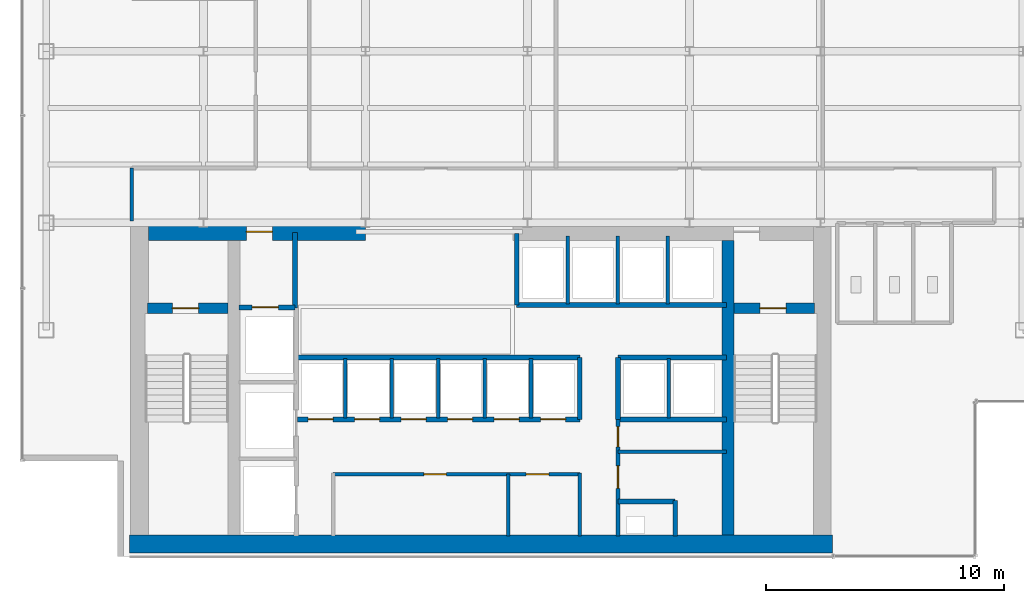
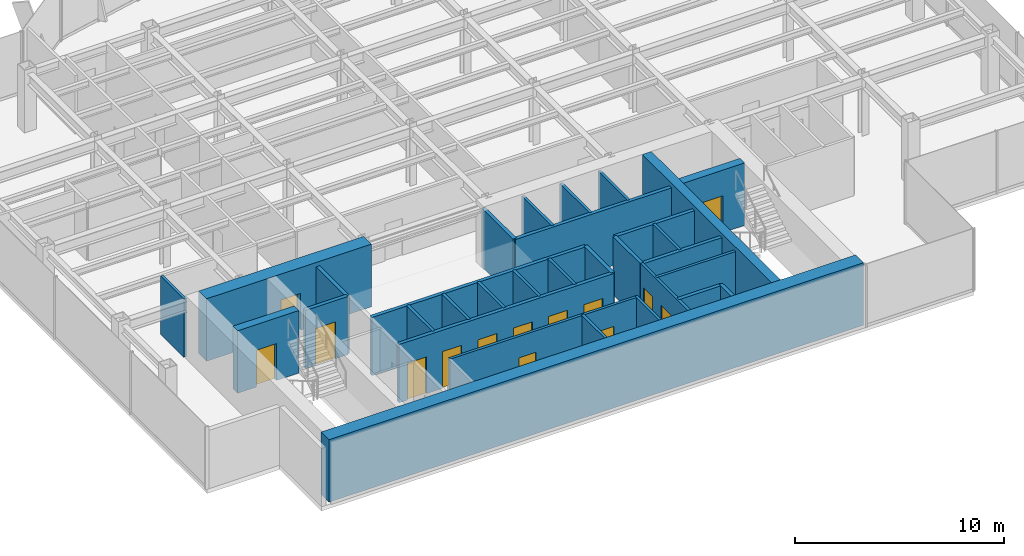
# One storey, part 20 of 25: 32 walls, 14 doors, 14 openings.
"""IFC4 building model written with IfcOpenShell, lengths in metres."""

from ifc_helpers import new_model, si_unit, derived_unit, direction, frame, frame_2d, origin, place, context, subcontext, project, spatial, rectangle, extrude, source, transform, mapped, material, layer, layer_set, type_object, element, fill, save


model = new_model("IFC4")

# Units and contexts
model_context = context("Model", 3, precision=1e-05, world=origin(), true_north=direction((0.0, 1.0)))
body_context = subcontext(model_context, "Body", "Model", "MODEL_VIEW")
ifc_project = project(units=[si_unit("LENGTHUNIT", "METRE"), si_unit("AREAUNIT", "SQUARE_METRE"), si_unit("VOLUMEUNIT", "CUBIC_METRE"), si_unit("PLANEANGLEUNIT", "RADIAN"), si_unit("MASSUNIT", "GRAM", prefix="KILO"), derived_unit("THERMALTRANSMITTANCEUNIT", [(si_unit("POWERUNIT", "WATT"), 1), (si_unit("LENGTHUNIT", "METRE"), -2), (si_unit("THERMODYNAMICTEMPERATUREUNIT", "KELVIN"), -1)])], contexts=[model_context])

# Site, building, storey
site_placement = place(None, origin())
site = spatial("IfcSite", under=ifc_project, at=site_placement, CompositionType="ELEMENT")
building_placement = place(site_placement, origin())
building = spatial("IfcBuilding", under=site, at=building_placement, Name="Skarnbrae Concourse Arena and Tower", CompositionType="ELEMENT")
storey_placement = place(building_placement, frame((0.0, 0.0, 169.800048828125)))
storey = spatial("IfcBuildingStorey", under=building, at=storey_placement, Name="L43", CompositionType="ELEMENT", Elevation=169.800048828125)

# Wall, opening, door
ifc_material_1 = material(Name="Concrete 50 MPa (C50/60)", Category="concrete")
ifc_layer_1 = layer(ifc_material_1, 0.449951171875)
ifc_layer_set_1 = layer_set([ifc_layer_1], Name="Concrete 50 MPa (C50/60)")
wall_type_1 = type_object("IfcWallType", Name="WALL-CORE-450-C50", PredefinedType="SHEAR", material=ifc_layer_set_1)
shared_shape_1 = source(origin(), body_context, "Body", "SweptSolid", [
    extrude(rectangle(XDim=3.389892578125, YDim=0.449951171875, at=frame_2d((1.69482421875, 0.0))), origin(), (0.0, 0.0, 1.0), 3.64990234375),
])
wall_1_placement = place(storey_placement, frame((5.25, 10.419921875, 0.0), z_axis=(0.0, 0.0, 1.0), x_axis=(1.0, 0.0, 0.0)))
wall_1 = element("IfcWall", 1, at=wall_1_placement, inside=storey, type_object=wall_type_1, Name="L43 Rear core shear wall CW-ST1-N", PredefinedType="SHEAR", context=body_context, shape_type="MappedRepresentation", body=[
    mapped(shared_shape_1, transform((0.0, 0.0, 0.0))),
])
opening_1_placement = place(wall_1_placement, frame((1.050048828125, 0.0, 0.0)))
opening_1 = element("IfcOpeningElement", 2, at=opening_1_placement, cuts=wall_1, Name="Opening DT-03", PredefinedType="OPENING", context=body_context, shape_type="SweptSolid", body=[
    extrude(rectangle(XDim=1.10009765625, YDim=2.14990234375, at=frame_2d((0.550048828125, 1.074951171875))), frame((0.0, 0.23486328125, 0.0), z_axis=(0.0, -1.0, 0.0), x_axis=(1.0, 0.0, 0.0)), (0.0, 0.0, 1.0), 0.469970703125),
])
ifc_material_2 = material(Name="Steel CSA G40.21 350W", Category="steel")
door_type_1 = type_object("IfcDoorType", Name="DOOR-FIRE-1100-90M", OperationType="NOTDEFINED", PredefinedType="DOOR", material=ifc_material_2)
shared_shape_2 = source(origin(), body_context, "Body", "SweptSolid", [
    extrude(rectangle(XDim=1.10009765625, YDim=2.14990234375, at=frame_2d((0.550048828125, 1.074951171875))), frame((0.0, 0.02490234375, 0.0), z_axis=(0.0, -1.0, 0.0), x_axis=(1.0, 0.0, 0.0)), (0.0, 0.0, 1.0), 0.050048828125),
])
door_1_placement = place(opening_1_placement, frame((1.10009765625, 0.0, 0.0), z_axis=(0.0, 0.0, 1.0), x_axis=(-1.0, 0.0, 0.0)))
door_1 = element("IfcDoor", 3, at=door_1_placement, inside=storey, type_object=door_type_1, Name="D-1321 Stair ST-1 Door", OperationType="SINGLE_SWING_LEFT", OverallHeight=2.14990234375, OverallWidth=1.10009765625, PredefinedType="DOOR", context=body_context, shape_type="MappedRepresentation", body=[
    mapped(shared_shape_2, transform((0.0, 0.0, 0.0))),
])
fill(opening_1, door_1)

wall_2_placement = place(storey_placement, frame((29.860107421875, 10.419921875, 0.0), z_axis=(0.0, 0.0, 1.0), x_axis=(1.0, 0.0, 0.0)))
wall_2 = element("IfcWall", 4, at=wall_2_placement, inside=storey, type_object=wall_type_1, Name="L43 Rear core shear wall CW-ST2-N", PredefinedType="SHEAR", context=body_context, shape_type="MappedRepresentation", body=[
    mapped(shared_shape_1, transform((0.0, 0.0, 0.0))),
])
opening_2_placement = place(wall_2_placement, frame((1.10009765625, 0.0, 0.0)))
opening_2 = element("IfcOpeningElement", 5, at=opening_2_placement, cuts=wall_2, Name="Opening DT-03", PredefinedType="OPENING", context=body_context, shape_type="SweptSolid", body=[
    extrude(rectangle(XDim=1.10009765625, YDim=2.14990234375, at=frame_2d((0.550048828125, 1.074951171875))), frame((0.0, 0.23486328125, 0.0), z_axis=(0.0, -1.0, 0.0), x_axis=(1.0, 0.0, 0.0)), (0.0, 0.0, 1.0), 0.469970703125),
])
door_2_placement = place(opening_2_placement, frame((1.10009765625, 0.0, 0.0), z_axis=(0.0, 0.0, 1.0), x_axis=(-1.0, 0.0, 0.0)))
door_2 = element("IfcDoor", 6, at=door_2_placement, inside=storey, type_object=door_type_1, Name="D-1322 Stair ST-2 Door", OperationType="SINGLE_SWING_RIGHT", OverallHeight=2.14990234375, OverallWidth=1.10009765625, PredefinedType="DOOR", context=body_context, shape_type="MappedRepresentation", body=[
    mapped(shared_shape_2, transform((0.0, 0.0, 0.0))),
])
fill(opening_2, door_2)

# Wall
ifc_material_3 = material(Name="Concrete 60 MPa (C60/75)", Category="concrete")
ifc_layer_2 = layer(ifc_material_3, 0.75)
ifc_layer_set_2 = layer_set([ifc_layer_2], Name="Concrete 60 MPa (C60/75)")
wall_type_2 = type_object("IfcWallType", Name="WALL-CORE-750-C60", PredefinedType="SHEAR", material=ifc_layer_set_2)
shared_shape_3 = source(origin(), body_context, "Body", "SweptSolid", [
    extrude(rectangle(XDim=29.5, YDim=0.75, at=frame_2d((14.75, 0.0))), origin(), (0.0, 0.0, 1.0), 3.64990234375),
])
wall_3_placement = place(storey_placement, frame((4.5, 0.52490234375, 0.0), z_axis=(0.0, 0.0, 1.0), x_axis=(1.0, 0.0, 0.0)))
element("IfcWall", 7, at=wall_3_placement, inside=storey, type_object=wall_type_2, Name="L43 Rear core shear wall CW-S", PredefinedType="SHEAR", context=body_context, shape_type="MappedRepresentation", body=[
    mapped(shared_shape_3, transform((0.0, 0.0, 0.0))),
])

# Wall, opening, door
shared_shape_4 = source(origin(), body_context, "Body", "SweptSolid", [
    extrude(rectangle(XDim=9.099853515625, YDim=0.75, at=frame_2d((4.5498046875, 0.0))), origin(), (0.0, 0.0, 1.0), 3.64990234375),
])
wall_4_placement = place(storey_placement, frame((5.300048828125, 13.625, 0.0), z_axis=(0.0, 0.0, 1.0), x_axis=(1.0, 0.0, 0.0)))
wall_4 = element("IfcWall", 8, at=wall_4_placement, inside=storey, type_object=wall_type_2, Name="L43 Rear core shear wall CW-NW", PredefinedType="SHEAR", context=body_context, shape_type="MappedRepresentation", body=[
    mapped(shared_shape_4, transform((0.0, 0.0, 0.0))),
])
opening_3_placement = place(wall_4_placement, frame((4.10009765625, 0.0, 0.0)))
opening_3 = element("IfcOpeningElement", 9, at=opening_3_placement, cuts=wall_4, Name="Opening DT-03", PredefinedType="OPENING", context=body_context, shape_type="SweptSolid", body=[
    extrude(rectangle(XDim=1.10009765625, YDim=2.14990234375, at=frame_2d((0.550048828125, 1.074951171875))), frame((0.0, 0.385009765625, 0.0), z_axis=(0.0, -1.0, 0.0), x_axis=(1.0, 0.0, 0.0)), (0.0, 0.0, 1.0), 0.77001953125),
])
door_3_placement = place(opening_3_placement, origin())
door_3 = element("IfcDoor", 10, at=door_3_placement, inside=storey, type_object=door_type_1, Name="D-1323 Firefighting Lobby Exit Door", OperationType="SINGLE_SWING_RIGHT", OverallHeight=2.14990234375, OverallWidth=1.10009765625, PredefinedType="DOOR", context=body_context, shape_type="MappedRepresentation", body=[
    mapped(shared_shape_2, transform((0.0, 0.0, 0.0))),
])
fill(opening_3, door_3)

# Walls
ifc_layer_3 = layer(ifc_material_3, 0.5)
ifc_layer_set_3 = layer_set([ifc_layer_3], Name="Concrete 60 MPa (C60/75)")
wall_type_3 = type_object("IfcWallType", Name="WALL-CORE-500-C60", PredefinedType="SHEAR", material=ifc_layer_set_3)
shared_shape_5 = source(origin(), body_context, "Body", "SweptSolid", [
    extrude(rectangle(XDim=12.35009765625, YDim=0.5, at=frame_2d((6.175048828125, 0.0))), origin(), (0.0, 0.0, 1.0), 3.64990234375),
])
wall_5_placement = place(storey_placement, frame((29.610107421875, 0.89990234375, 0.0), z_axis=(0.0, 0.0, 1.0), x_axis=(0.0, 1.0, 0.0)))
element("IfcWall", 11, at=wall_5_placement, inside=storey, type_object=wall_type_3, Name="L43 Rear core shear wall CW-WEB-E", PredefinedType="SHEAR", context=body_context, shape_type="MappedRepresentation", body=[
    mapped(shared_shape_5, transform((0.0, 0.0, 0.0))),
])
ifc_material_4 = material(Name="Gypsum board on cold-formed steel studs", Category="steel")
ifc_layer_4 = layer(ifc_material_4, 0.199951171875)
ifc_layer_set_4 = layer_set([ifc_layer_4], Name="Gypsum board on cold-formed steel studs")
wall_type_4 = type_object("IfcWallType", Name="WALL-PART-200-2HR", PredefinedType="PARTITIONING", material=ifc_layer_set_4)
shared_shape_6 = source(origin(), body_context, "Body", "SweptSolid", [
    extrude(rectangle(XDim=3.18017578125, YDim=0.199951171875, at=frame_2d((1.590087890625, 0.0))), origin(), (0.0, 0.0, 1.0), 3.39990234375),
])
wall_6_placement = place(storey_placement, frame((11.449951171875, 10.419921875, 0.0), z_axis=(0.0, 0.0, 1.0), x_axis=(0.0, 1.0, 0.0)))
element("IfcWall", 12, at=wall_6_placement, inside=storey, type_object=wall_type_4, Name="L43 Interior partition wall W-L43-FFL-E", PredefinedType="PARTITIONING", context=body_context, shape_type="MappedRepresentation", body=[
    mapped(shared_shape_6, transform((0.0, 0.0, 0.0))),
])

# Wall, opening, door
shared_shape_7 = source(origin(), body_context, "Body", "SweptSolid", [
    extrude(rectangle(XDim=2.349853515625, YDim=0.199951171875, at=frame_2d((1.1748046875, 0.0))), origin(), (0.0, 0.0, 1.0), 3.39990234375),
])
wall_7_placement = place(storey_placement, frame((9.10009765625, 10.449951171875, 0.0), z_axis=(0.0, 0.0, 1.0), x_axis=(1.0, 0.0, 0.0)))
wall_7 = element("IfcWall", 13, at=wall_7_placement, inside=storey, type_object=wall_type_4, Name="L43 Interior partition wall W-L43-FL1-N", PredefinedType="PARTITIONING", context=body_context, shape_type="MappedRepresentation", body=[
    mapped(shared_shape_7, transform((0.0, 0.0, 0.0))),
])
opening_4_placement = place(wall_7_placement, frame((0.550048828125, 0.0, 0.0)))
opening_4 = element("IfcOpeningElement", 14, at=opening_4_placement, cuts=wall_7, Name="Opening LD-01", PredefinedType="OPENING", context=body_context, shape_type="SweptSolid", body=[
    extrude(rectangle(XDim=1.10009765625, YDim=2.14990234375, at=frame_2d((0.550048828125, 1.074951171875))), frame((0.0, 0.10986328125, 0.0), z_axis=(0.0, -1.0, 0.0), x_axis=(1.0, 0.0, 0.0)), (0.0, 0.0, 1.0), 0.219970703125),
])
door_type_2 = type_object("IfcDoorType", Name="DOOR-LIFT-SLIDE-1100", OperationType="SLIDING_TO_LEFT", PredefinedType="DOOR", material=ifc_material_2)
door_4_placement = place(opening_4_placement, origin())
door_4 = element("IfcDoor", 15, at=door_4_placement, inside=storey, type_object=door_type_2, Name="D-1325 Firefighting Lift Landing Door FL-01", OperationType="SLIDING_TO_LEFT", OverallHeight=2.14990234375, OverallWidth=1.10009765625, PredefinedType="DOOR", context=body_context, shape_type="MappedRepresentation", body=[
    mapped(shared_shape_2, transform((0.0, 0.0, 0.0))),
])
fill(opening_4, door_4)

# Wall
ifc_layer_5 = layer(ifc_material_4, 0.14990234375)
ifc_layer_set_5 = layer_set([ifc_layer_5], Name="Gypsum board on cold-formed steel studs")
wall_type_5 = type_object("IfcWallType", Name="WALL-PART-150", PredefinedType="PARTITIONING", material=ifc_layer_set_5)
shared_shape_8 = source(origin(), body_context, "Body", "SweptSolid", [
    extrude(rectangle(XDim=2.599853515625, YDim=0.14990234375, at=frame_2d((1.2998046875, 0.0))), origin(), (0.0, 0.0, 1.0), 3.39990234375),
])
wall_8_placement = place(storey_placement, frame((20.39990234375, 0.85009765625, 0.0), z_axis=(0.0, 0.0, 1.0), x_axis=(0.0, 1.0, 0.0)))
element("IfcWall", 16, at=wall_8_placement, inside=storey, type_object=wall_type_5, Name="L43 Interior partition wall W-L43-B1M-C1", PredefinedType="PARTITIONING", context=body_context, shape_type="MappedRepresentation", body=[
    mapped(shared_shape_8, transform((0.0, 0.0, 0.0))),
])

# Wall, openings, doors
shared_shape_9 = source(origin(), body_context, "Body", "SweptSolid", [
    extrude(rectangle(XDim=11.849853515625, YDim=0.199951171875, at=frame_2d((5.9248046875, 0.0))), origin(), (0.0, 0.0, 1.0), 3.39990234375),
])
wall_9_placement = place(storey_placement, frame((11.550048828125, 5.75, 0.0), z_axis=(0.0, 0.0, 1.0), x_axis=(1.0, 0.0, 0.0)))
wall_9 = element("IfcWall", 17, at=wall_9_placement, inside=storey, type_object=wall_type_4, Name="L43 Interior partition wall W-L43-B2-S", PredefinedType="PARTITIONING", context=body_context, shape_type="MappedRepresentation", body=[
    mapped(shared_shape_9, transform((0.0, 0.0, 0.0))),
])
opening_5_placement = place(wall_9_placement, frame((0.449951171875, 0.0, 0.0)))
opening_5 = element("IfcOpeningElement", 18, at=opening_5_placement, cuts=wall_9, Name="Opening LD-03", PredefinedType="OPENING", context=body_context, shape_type="SweptSolid", body=[
    extrude(rectangle(XDim=1.050048828125, YDim=2.14990234375, at=frame_2d((0.52490234375, 1.074951171875))), frame((0.0, 0.10986328125, 0.0), z_axis=(0.0, -1.0, 0.0), x_axis=(1.0, 0.0, 0.0)), (0.0, 0.0, 1.0), 0.219970703125),
])
opening_6_placement = place(wall_9_placement, frame((2.39990234375, 0.0, 0.0)))
opening_6 = element("IfcOpeningElement", 19, at=opening_6_placement, cuts=wall_9, Name="Opening LD-03", PredefinedType="OPENING", context=body_context, shape_type="SweptSolid", body=[
    extrude(rectangle(XDim=1.050048828125, YDim=2.14990234375, at=frame_2d((0.52490234375, 1.074951171875))), frame((0.0, 0.10986328125, 0.0), z_axis=(0.0, -1.0, 0.0), x_axis=(1.0, 0.0, 0.0)), (0.0, 0.0, 1.0), 0.219970703125),
])
opening_7_placement = place(wall_9_placement, frame((4.35009765625, 0.0, 0.0)))
opening_7 = element("IfcOpeningElement", 20, at=opening_7_placement, cuts=wall_9, Name="Opening LD-03", PredefinedType="OPENING", context=body_context, shape_type="SweptSolid", body=[
    extrude(rectangle(XDim=1.050048828125, YDim=2.14990234375, at=frame_2d((0.52490234375, 1.074951171875))), frame((0.0, 0.10986328125, 0.0), z_axis=(0.0, -1.0, 0.0), x_axis=(1.0, 0.0, 0.0)), (0.0, 0.0, 1.0), 0.219970703125),
])
opening_8_placement = place(wall_9_placement, frame((6.300048828125, 0.0, 0.0)))
opening_8 = element("IfcOpeningElement", 21, at=opening_8_placement, cuts=wall_9, Name="Opening LD-03", PredefinedType="OPENING", context=body_context, shape_type="SweptSolid", body=[
    extrude(rectangle(XDim=1.050048828125, YDim=2.14990234375, at=frame_2d((0.52490234375, 1.074951171875))), frame((0.0, 0.10986328125, 0.0), z_axis=(0.0, -1.0, 0.0), x_axis=(1.0, 0.0, 0.0)), (0.0, 0.0, 1.0), 0.219970703125),
])
opening_9_placement = place(wall_9_placement, frame((8.25, 0.0, 0.0)))
opening_9 = element("IfcOpeningElement", 22, at=opening_9_placement, cuts=wall_9, Name="Opening LD-03", PredefinedType="OPENING", context=body_context, shape_type="SweptSolid", body=[
    extrude(rectangle(XDim=1.050048828125, YDim=2.14990234375, at=frame_2d((0.52490234375, 1.074951171875))), frame((0.0, 0.10986328125, 0.0), z_axis=(0.0, -1.0, 0.0), x_axis=(1.0, 0.0, 0.0)), (0.0, 0.0, 1.0), 0.219970703125),
])
opening_10_placement = place(wall_9_placement, frame((10.199951171875, 0.0, 0.0)))
opening_10 = element("IfcOpeningElement", 23, at=opening_10_placement, cuts=wall_9, Name="Opening LD-03", PredefinedType="OPENING", context=body_context, shape_type="SweptSolid", body=[
    extrude(rectangle(XDim=1.050048828125, YDim=2.14990234375, at=frame_2d((0.52490234375, 1.074951171875))), frame((0.0, 0.10986328125, 0.0), z_axis=(0.0, -1.0, 0.0), x_axis=(1.0, 0.0, 0.0)), (0.0, 0.0, 1.0), 0.219970703125),
])
ifc_material_5 = material(Name="Bronze anodised aluminium 6063-T6", Category="aluminium")
door_type_3 = type_object("IfcDoorType", Name="DOOR-LIFT-SLIDE-1050", OperationType="SLIDING_TO_LEFT", PredefinedType="DOOR", material=ifc_material_5)
shared_shape_10 = source(origin(), body_context, "Body", "SweptSolid", [
    extrude(rectangle(XDim=1.050048828125, YDim=2.14990234375, at=frame_2d((0.52490234375, 1.074951171875))), frame((0.0, 0.02490234375, 0.0), z_axis=(0.0, -1.0, 0.0), x_axis=(1.0, 0.0, 0.0)), (0.0, 0.0, 1.0), 0.050048828125),
])
door_5_placement = place(opening_5_placement, frame((1.050048828125, 0.0, 0.0), z_axis=(0.0, 0.0, 1.0), x_axis=(-1.0, 0.0, 0.0)))
door_5 = element("IfcDoor", 24, at=door_5_placement, inside=storey, type_object=door_type_3, Name="D-1330 Passenger Lift Landing Door PL-2A", OperationType="SLIDING_TO_LEFT", OverallHeight=2.14990234375, OverallWidth=1.050048828125, PredefinedType="DOOR", context=body_context, shape_type="MappedRepresentation", body=[
    mapped(shared_shape_10, transform((0.0, 0.0, 0.0))),
])
fill(opening_5, door_5)
door_6_placement = place(opening_6_placement, frame((1.050048828125, 0.0, 0.0), z_axis=(0.0, 0.0, 1.0), x_axis=(-1.0, 0.0, 0.0)))
door_6 = element("IfcDoor", 25, at=door_6_placement, inside=storey, type_object=door_type_3, Name="D-1331 Passenger Lift Landing Door PL-2B", OperationType="SLIDING_TO_LEFT", OverallHeight=2.14990234375, OverallWidth=1.050048828125, PredefinedType="DOOR", context=body_context, shape_type="MappedRepresentation", body=[
    mapped(shared_shape_10, transform((0.0, 0.0, 0.0))),
])
fill(opening_6, door_6)
door_7_placement = place(opening_7_placement, frame((1.050048828125, 0.0, 0.0), z_axis=(0.0, 0.0, 1.0), x_axis=(-1.0, 0.0, 0.0)))
door_7 = element("IfcDoor", 26, at=door_7_placement, inside=storey, type_object=door_type_3, Name="D-1332 Passenger Lift Landing Door PL-2C", OperationType="SLIDING_TO_LEFT", OverallHeight=2.14990234375, OverallWidth=1.050048828125, PredefinedType="DOOR", context=body_context, shape_type="MappedRepresentation", body=[
    mapped(shared_shape_10, transform((0.0, 0.0, 0.0))),
])
fill(opening_7, door_7)
door_8_placement = place(opening_8_placement, frame((1.050048828125, 0.0, 0.0), z_axis=(0.0, 0.0, 1.0), x_axis=(-1.0, 0.0, 0.0)))
door_8 = element("IfcDoor", 27, at=door_8_placement, inside=storey, type_object=door_type_3, Name="D-1333 Passenger Lift Landing Door PL-2D", OperationType="SLIDING_TO_LEFT", OverallHeight=2.14990234375, OverallWidth=1.050048828125, PredefinedType="DOOR", context=body_context, shape_type="MappedRepresentation", body=[
    mapped(shared_shape_10, transform((0.0, 0.0, 0.0))),
])
fill(opening_8, door_8)
door_9_placement = place(opening_9_placement, frame((1.050048828125, 0.0, 0.0), z_axis=(0.0, 0.0, 1.0), x_axis=(-1.0, 0.0, 0.0)))
door_9 = element("IfcDoor", 28, at=door_9_placement, inside=storey, type_object=door_type_3, Name="D-1334 Passenger Lift Landing Door PL-2E", OperationType="SLIDING_TO_LEFT", OverallHeight=2.14990234375, OverallWidth=1.050048828125, PredefinedType="DOOR", context=body_context, shape_type="MappedRepresentation", body=[
    mapped(shared_shape_10, transform((0.0, 0.0, 0.0))),
])
fill(opening_9, door_9)
door_10_placement = place(opening_10_placement, frame((1.050048828125, 0.0, 0.0), z_axis=(0.0, 0.0, 1.0), x_axis=(-1.0, 0.0, 0.0)))
door_10 = element("IfcDoor", 29, at=door_10_placement, inside=storey, type_object=door_type_3, Name="D-1335 Passenger Lift Landing Door PL-2F", OperationType="SLIDING_TO_LEFT", OverallHeight=2.14990234375, OverallWidth=1.050048828125, PredefinedType="DOOR", context=body_context, shape_type="MappedRepresentation", body=[
    mapped(shared_shape_10, transform((0.0, 0.0, 0.0))),
])
fill(opening_10, door_10)

# Walls
wall_10_placement = place(storey_placement, frame((11.550048828125, 8.35009765625, 0.0), z_axis=(0.0, 0.0, 1.0), x_axis=(1.0, 0.0, 0.0)))
element("IfcWall", 30, at=wall_10_placement, inside=storey, type_object=wall_type_4, Name="L43 Interior partition wall W-L43-B2-N", PredefinedType="PARTITIONING", context=body_context, shape_type="MappedRepresentation", body=[
    mapped(shared_shape_9, transform((0.0, 0.0, 0.0))),
])
shared_shape_11 = source(origin(), body_context, "Body", "SweptSolid", [
    extrude(rectangle(XDim=2.60009765625, YDim=0.199951171875, at=frame_2d((1.300048828125, 0.0))), origin(), (0.0, 0.0, 1.0), 3.39990234375),
])
for number, where, z_axis, x_axis, name in (
    (31, (23.39990234375, 5.75, 0.0), (0.0, 0.0, 1.0), (0.0, 1.0, 0.0), "L43 Interior partition wall W-L43-B2-E"),
    (32, (25.0, 5.75, 0.0), (0.0, 0.0, 1.0), (0.0, 1.0, 0.0), "L43 Interior partition wall W-L43-B3S-W"),
):
    element("IfcWall", number, at=place(storey_placement, frame(where, z_axis=z_axis, x_axis=x_axis)), inside=storey, type_object=wall_type_4, Name=name, PredefinedType="PARTITIONING", context=body_context, shape_type="MappedRepresentation", body=[
        mapped(shared_shape_11, transform((0.0, 0.0, 0.0))),
    ])
shared_shape_12 = source(origin(), body_context, "Body", "SweptSolid", [
    extrude(rectangle(XDim=2.5, YDim=0.14990234375, at=frame_2d((1.25, 0.0))), origin(), (0.0, 0.0, 1.0), 3.39990234375),
])
for number, where, z_axis, x_axis, name in (
    (33, (13.550048828125, 5.800048828125, 0.0), (0.0, 0.0, 1.0), (0.0, 1.0, 0.0), "L43 Interior partition wall W-L43-B2-P1"),
    (34, (15.5, 5.800048828125, 0.0), (0.0, 0.0, 1.0), (0.0, 1.0, 0.0), "L43 Interior partition wall W-L43-B2-P2"),
    (35, (17.449951171875, 5.800048828125, 0.0), (0.0, 0.0, 1.0), (0.0, 1.0, 0.0), "L43 Interior partition wall W-L43-B2-P3"),
    (36, (19.39990234375, 5.800048828125, 0.0), (0.0, 0.0, 1.0), (0.0, 1.0, 0.0), "L43 Interior partition wall W-L43-B2-P4"),
    (37, (21.35009765625, 5.800048828125, 0.0), (0.0, 0.0, 1.0), (0.0, 1.0, 0.0), "L43 Interior partition wall W-L43-B2-P5"),
    (38, (27.139892578125, 5.800048828125, 0.0), (0.0, 0.0, 1.0), (0.0, 1.0, 0.0), "L43 Interior partition wall W-L43-B3S-P1"),
):
    element("IfcWall", number, at=place(storey_placement, frame(where, z_axis=z_axis, x_axis=x_axis)), inside=storey, type_object=wall_type_5, Name=name, PredefinedType="PARTITIONING", context=body_context, shape_type="MappedRepresentation", body=[
        mapped(shared_shape_12, transform((0.0, 0.0, 0.0))),
    ])
shared_shape_13 = source(origin(), body_context, "Body", "SweptSolid", [
    extrude(rectangle(XDim=8.800048828125, YDim=0.199951171875, at=frame_2d((4.39990234375, 0.0))), origin(), (0.0, 0.0, 1.0), 3.39990234375),
])
wall_11_placement = place(storey_placement, frame((20.75, 10.550048828125, 0.0), z_axis=(0.0, 0.0, 1.0), x_axis=(1.0, 0.0, 0.0)))
element("IfcWall", 39, at=wall_11_placement, inside=storey, type_object=wall_type_4, Name="L43 Interior partition wall W-L43-B3N-S", PredefinedType="PARTITIONING", context=body_context, shape_type="MappedRepresentation", body=[
    mapped(shared_shape_13, transform((0.0, 0.0, 0.0))),
])
shared_shape_14 = source(origin(), body_context, "Body", "SweptSolid", [
    extrude(rectangle(XDim=3.0, YDim=0.199951171875, at=frame_2d((1.5, 0.0))), origin(), (0.0, 0.0, 1.0), 3.39990234375),
])
wall_12_placement = place(storey_placement, frame((20.75, 10.550048828125, 0.0), z_axis=(0.0, 0.0, 1.0), x_axis=(0.0, 1.0, 0.0)))
element("IfcWall", 40, at=wall_12_placement, inside=storey, type_object=wall_type_4, Name="L43 Interior partition wall W-L43-B3N-W", PredefinedType="PARTITIONING", context=body_context, shape_type="MappedRepresentation", body=[
    mapped(shared_shape_14, transform((0.0, 0.0, 0.0))),
])
shared_shape_15 = source(origin(), body_context, "Body", "SweptSolid", [
    extrude(rectangle(XDim=2.849853515625, YDim=0.14990234375, at=frame_2d((1.4248046875, 0.0))), origin(), (0.0, 0.0, 1.0), 3.39990234375),
])
for number, where, z_axis, x_axis, name in (
    (41, (22.889892578125, 10.60009765625, 0.0), (0.0, 0.0, 1.0), (0.0, 1.0, 0.0), "L43 Interior partition wall W-L43-B3N-P1"),
    (42, (24.989990234375, 10.60009765625, 0.0), (0.0, 0.0, 1.0), (0.0, 1.0, 0.0), "L43 Interior partition wall W-L43-B3N-P2"),
    (43, (27.090087890625, 10.60009765625, 0.0), (0.0, 0.0, 1.0), (0.0, 1.0, 0.0), "L43 Interior partition wall W-L43-B3N-P3"),
):
    element("IfcWall", number, at=place(storey_placement, frame(where, z_axis=z_axis, x_axis=x_axis)), inside=storey, type_object=wall_type_5, Name=name, PredefinedType="PARTITIONING", context=body_context, shape_type="MappedRepresentation", body=[
        mapped(shared_shape_15, transform((0.0, 0.0, 0.0))),
    ])
shared_shape_16 = source(origin(), body_context, "Body", "SweptSolid", [
    extrude(rectangle(XDim=4.550048828125, YDim=0.199951171875, at=frame_2d((2.27490234375, 0.0))), origin(), (0.0, 0.0, 1.0), 3.39990234375),
])
for number, where, z_axis, x_axis, name in (
    (44, (25.0, 8.35009765625, 0.0), (0.0, 0.0, 1.0), (1.0, 0.0, 0.0), "L43 Interior partition wall W-L43-B3S-N"),
    (45, (25.0, 5.75, 0.0), (0.0, 0.0, 1.0), (1.0, 0.0, 0.0), "L43 Interior partition wall W-L43-B3S-S"),
):
    element("IfcWall", number, at=place(storey_placement, frame(where, z_axis=z_axis, x_axis=x_axis)), inside=storey, type_object=wall_type_4, Name=name, PredefinedType="PARTITIONING", context=body_context, shape_type="MappedRepresentation", body=[
        mapped(shared_shape_16, transform((0.0, 0.0, 0.0))),
    ])

# Wall, openings, doors
ifc_layer_6 = layer(ifc_material_4, 0.14990234375)
ifc_layer_set_6 = layer_set([ifc_layer_6], Name="Gypsum board on cold-formed steel studs")
wall_type_6 = type_object("IfcWallType", Name="WALL-PART-150-1HR", PredefinedType="PARTITIONING", material=ifc_layer_set_6)
shared_shape_17 = source(origin(), body_context, "Body", "SweptSolid", [
    extrude(rectangle(XDim=4.89990234375, YDim=0.14990234375, at=frame_2d((2.449951171875, 0.0))), origin(), (0.0, 0.0, 1.0), 3.39990234375),
])
wall_13_placement = place(storey_placement, frame((25.0, 0.85009765625, 0.0), z_axis=(0.0, 0.0, 1.0), x_axis=(0.0, 1.0, 0.0)))
wall_13 = element("IfcWall", 46, at=wall_13_placement, inside=storey, type_object=wall_type_6, Name="L43 Interior partition wall W-L43-CSV-W", PredefinedType="PARTITIONING", context=body_context, shape_type="MappedRepresentation", body=[
    mapped(shared_shape_17, transform((0.0, 0.0, 0.0))),
])
opening_11_placement = place(wall_13_placement, frame((2.0, 0.0, 0.0)))
opening_11 = element("IfcOpeningElement", 47, at=opening_11_placement, cuts=wall_13, Name="Opening DT-04", PredefinedType="OPENING", context=body_context, shape_type="SweptSolid", body=[
    extrude(rectangle(XDim=0.949951171875, YDim=2.14990234375, at=frame_2d((0.47509765625, 1.074951171875))), frame((0.0, 0.0849609375, 0.0), z_axis=(0.0, -1.0, 0.0), x_axis=(1.0, 0.0, 0.0)), (0.0, 0.0, 1.0), 0.169921875),
])
opening_12_placement = place(wall_13_placement, frame((3.75, 0.0, 0.0)))
opening_12 = element("IfcOpeningElement", 48, at=opening_12_placement, cuts=wall_13, Name="Opening DT-08", PredefinedType="OPENING", context=body_context, shape_type="SweptSolid", body=[
    extrude(rectangle(XDim=0.85009765625, YDim=2.14990234375, at=frame_2d((0.425048828125, 1.074951171875))), frame((0.0, 0.0849609375, 0.0), z_axis=(0.0, -1.0, 0.0), x_axis=(1.0, 0.0, 0.0)), (0.0, 0.0, 1.0), 0.169921875),
])
door_type_4 = type_object("IfcDoorType", Name="DOOR-INT-950-45M", OperationType="NOTDEFINED", PredefinedType="DOOR", material=ifc_material_2)
shared_shape_18 = source(origin(), body_context, "Body", "SweptSolid", [
    extrude(rectangle(XDim=0.949951171875, YDim=2.14990234375, at=frame_2d((0.47509765625, 1.074951171875))), frame((0.0, 0.02490234375, 0.0), z_axis=(0.0, -1.0, 0.0), x_axis=(1.0, 0.0, 0.0)), (0.0, 0.0, 1.0), 0.050048828125),
])
door_11_placement = place(opening_11_placement, origin())
door_11 = element("IfcDoor", 49, at=door_11_placement, inside=storey, type_object=door_type_4, Name="D-1336 Telemetry Room Door", OperationType="SINGLE_SWING_LEFT", OverallHeight=2.14990234375, OverallWidth=0.949951171875, PredefinedType="DOOR", context=body_context, shape_type="MappedRepresentation", body=[
    mapped(shared_shape_18, transform((0.0, 0.0, 0.0))),
])
fill(opening_11, door_11)
door_type_5 = type_object("IfcDoorType", Name="DOOR-INT-850-45M", OperationType="NOTDEFINED", PredefinedType="DOOR", material=ifc_material_2)
shared_shape_19 = source(origin(), body_context, "Body", "SweptSolid", [
    extrude(rectangle(XDim=0.85009765625, YDim=2.14990234375, at=frame_2d((0.425048828125, 1.074951171875))), frame((0.0, 0.02490234375, 0.0), z_axis=(0.0, -1.0, 0.0), x_axis=(1.0, 0.0, 0.0)), (0.0, 0.0, 1.0), 0.050048828125),
])
door_12_placement = place(opening_12_placement, origin())
door_12 = element("IfcDoor", 50, at=door_12_placement, inside=storey, type_object=door_type_5, Name="D-1337 Recycling Room Door", OperationType="SINGLE_SWING_RIGHT", OverallHeight=2.14990234375, OverallWidth=0.85009765625, PredefinedType="DOOR", context=body_context, shape_type="MappedRepresentation", body=[
    mapped(shared_shape_19, transform((0.0, 0.0, 0.0))),
])
fill(opening_12, door_12)

# Walls
shared_shape_20 = source(origin(), body_context, "Body", "SweptSolid", [
    extrude(rectangle(XDim=2.39990234375, YDim=0.199951171875, at=frame_2d((1.199951171875, 0.0))), origin(), (0.0, 0.0, 1.0), 3.39990234375),
])
wall_14_placement = place(storey_placement, frame((25.0, 2.300048828125, 0.0), z_axis=(0.0, 0.0, 1.0), x_axis=(1.0, 0.0, 0.0)))
element("IfcWall", 51, at=wall_14_placement, inside=storey, type_object=wall_type_4, Name="L43 Interior partition wall W-L43-MEP-N", PredefinedType="PARTITIONING", context=body_context, shape_type="MappedRepresentation", body=[
    mapped(shared_shape_20, transform((0.0, 0.0, 0.0))),
])
shared_shape_21 = source(origin(), body_context, "Body", "SweptSolid", [
    extrude(rectangle(XDim=1.5, YDim=0.199951171875, at=frame_2d((0.75, 0.0))), origin(), (0.0, 0.0, 1.0), 3.39990234375),
])
wall_15_placement = place(storey_placement, frame((27.39990234375, 0.85009765625, 0.0), z_axis=(0.0, 0.0, 1.0), x_axis=(0.0, 1.0, 0.0)))
element("IfcWall", 52, at=wall_15_placement, inside=storey, type_object=wall_type_4, Name="L43 Interior partition wall W-L43-MEP-E", PredefinedType="PARTITIONING", context=body_context, shape_type="MappedRepresentation", body=[
    mapped(shared_shape_21, transform((0.0, 0.0, 0.0))),
])
shared_shape_22 = source(origin(), body_context, "Body", "SweptSolid", [
    extrude(rectangle(XDim=4.550048828125, YDim=0.14990234375, at=frame_2d((2.27490234375, 0.0))), origin(), (0.0, 0.0, 1.0), 3.39990234375),
])
wall_16_placement = place(storey_placement, frame((25.0, 4.39990234375, 0.0), z_axis=(0.0, 0.0, 1.0), x_axis=(1.0, 0.0, 0.0)))
element("IfcWall", 53, at=wall_16_placement, inside=storey, type_object=wall_type_5, Name="L43 Interior partition wall W-L43-CSV-H", PredefinedType="PARTITIONING", context=body_context, shape_type="MappedRepresentation", body=[
    mapped(shared_shape_22, transform((0.0, 0.0, 0.0))),
])
shared_shape_23 = source(origin(), body_context, "Body", "SweptSolid", [
    extrude(rectangle(XDim=2.64990234375, YDim=0.14990234375, at=frame_2d((1.324951171875, 0.0))), origin(), (0.0, 0.0, 1.0), 3.39990234375),
])
wall_17_placement = place(storey_placement, frame((23.39990234375, 0.85009765625, 0.0), z_axis=(0.0, 0.0, 1.0), x_axis=(0.0, 1.0, 0.0)))
element("IfcWall", 54, at=wall_17_placement, inside=storey, type_object=wall_type_6, Name="L43 Interior partition wall W-L43-B1M-E", PredefinedType="PARTITIONING", context=body_context, shape_type="MappedRepresentation", body=[
    mapped(shared_shape_23, transform((0.0, 0.0, 0.0))),
])

# Wall, openings, doors
shared_shape_24 = source(origin(), body_context, "Body", "SweptSolid", [
    extrude(rectangle(XDim=10.349853515625, YDim=0.14990234375, at=frame_2d((5.1748046875, 0.0))), origin(), (0.0, 0.0, 1.0), 3.39990234375),
])
wall_18_placement = place(storey_placement, frame((13.050048828125, 3.449951171875, 0.0), z_axis=(0.0, 0.0, 1.0), x_axis=(1.0, 0.0, 0.0)))
wall_18 = element("IfcWall", 55, at=wall_18_placement, inside=storey, type_object=wall_type_6, Name="L43 Interior partition wall W-L43-B1M-N", PredefinedType="PARTITIONING", context=body_context, shape_type="MappedRepresentation", body=[
    mapped(shared_shape_24, transform((0.0, 0.0, 0.0))),
])
opening_13_placement = place(wall_18_placement, frame((3.800048828125, 0.0, 0.0)))
opening_13 = element("IfcOpeningElement", 56, at=opening_13_placement, cuts=wall_18, Name="Opening DT-04", PredefinedType="OPENING", context=body_context, shape_type="SweptSolid", body=[
    extrude(rectangle(XDim=0.949951171875, YDim=2.14990234375, at=frame_2d((0.47509765625, 1.074951171875))), frame((0.0, 0.0849609375, 0.0), z_axis=(0.0, -1.0, 0.0), x_axis=(1.0, 0.0, 0.0)), (0.0, 0.0, 1.0), 0.169921875),
])
opening_14_placement = place(wall_18_placement, frame((8.10009765625, 0.0, 0.0)))
opening_14 = element("IfcOpeningElement", 57, at=opening_14_placement, cuts=wall_18, Name="Opening DT-04", PredefinedType="OPENING", context=body_context, shape_type="SweptSolid", body=[
    extrude(rectangle(XDim=0.949951171875, YDim=2.14990234375, at=frame_2d((0.47509765625, 1.074951171875))), frame((0.0, 0.0849609375, 0.0), z_axis=(0.0, -1.0, 0.0), x_axis=(1.0, 0.0, 0.0)), (0.0, 0.0, 1.0), 0.169921875),
])
door_13_placement = place(opening_13_placement, origin())
door_13 = element("IfcDoor", 58, at=door_13_placement, inside=storey, type_object=door_type_4, Name="D-1328 Staff Locker Door", OperationType="SINGLE_SWING_LEFT", OverallHeight=2.14990234375, OverallWidth=0.949951171875, PredefinedType="DOOR", context=body_context, shape_type="MappedRepresentation", body=[
    mapped(shared_shape_18, transform((0.0, 0.0, 0.0))),
])
fill(opening_13, door_13)
door_14_placement = place(opening_14_placement, origin())
door_14 = element("IfcDoor", 59, at=door_14_placement, inside=storey, type_object=door_type_4, Name="D-1329 Janitor Store Door", OperationType="SINGLE_SWING_RIGHT", OverallHeight=2.14990234375, OverallWidth=0.949951171875, PredefinedType="DOOR", context=body_context, shape_type="MappedRepresentation", body=[
    mapped(shared_shape_18, transform((0.0, 0.0, 0.0))),
])
fill(opening_14, door_14)

# Wall
shared_shape_25 = source(origin(), body_context, "Body", "SweptSolid", [
    extrude(rectangle(XDim=2.219970703125, YDim=0.14990234375, at=frame_2d((1.10986328125, 0.0))), origin(), (0.0, 0.0, 1.0), 3.39990234375),
])
wall_19_placement = place(storey_placement, frame((4.60009765625, 14.080078125, 0.0), z_axis=(0.0, 0.0, 1.0), x_axis=(0.0, 1.0, 0.0)))
element("IfcWall", 60, at=wall_19_placement, inside=storey, type_object=wall_type_6, Name="L43 Interior partition wall W-L43-COR-01", PredefinedType="PARTITIONING", context=body_context, shape_type="MappedRepresentation", body=[
    mapped(shared_shape_25, transform((0.0, 0.0, 0.0))),
])

save(model, "model.ifc")
